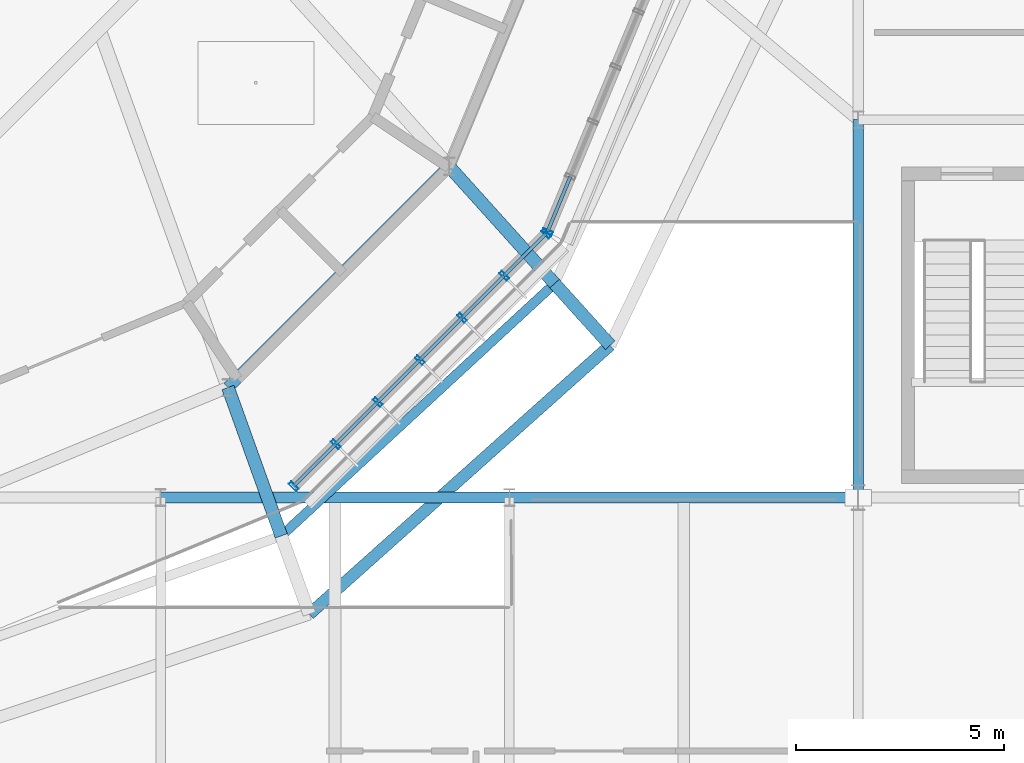
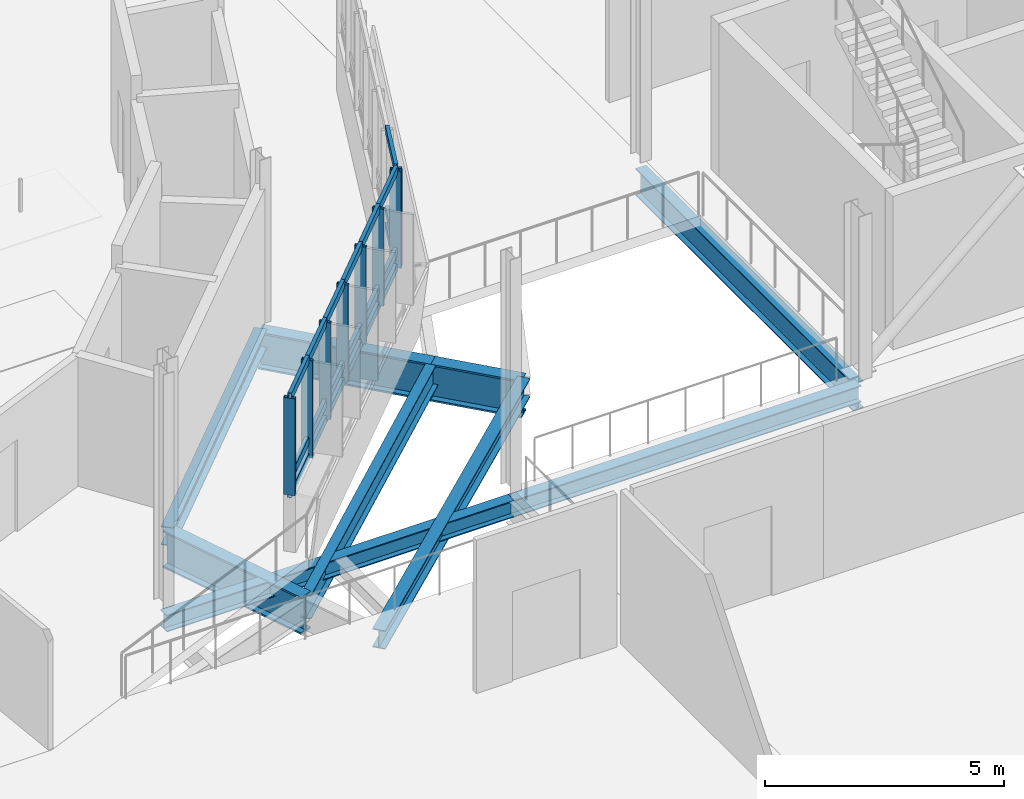
# One storey, part 24 of 107: 29 members, 9 beams, 2 elements without a shape of their own.
"""IFC4 building model written with IfcOpenShell, lengths in metres."""

from ifc_helpers import new_model, si_unit, derived_unit, direction, frame, origin, origin_2d, place, context, subcontext, project, spatial, hollow_rectangle, i_section, extrude, material, layer, layer_set, material_profile, profile_set, type_object, element, aggregate, save


model = new_model("IFC4")

# Units and contexts
model_context = context("Model", 3, precision=1e-05, world=origin(), true_north=direction((0.0, 1.0)))
body_context = subcontext(model_context, "Body", "Model", "MODEL_VIEW")
ifc_project = project(units=[si_unit("LENGTHUNIT", "METRE"), si_unit("AREAUNIT", "SQUARE_METRE"), si_unit("VOLUMEUNIT", "CUBIC_METRE"), si_unit("PLANEANGLEUNIT", "RADIAN"), si_unit("MASSUNIT", "GRAM", prefix="KILO"), derived_unit("THERMALTRANSMITTANCEUNIT", [(si_unit("MASSUNIT", "GRAM", prefix="KILO"), 1), (si_unit("TIMEUNIT", "SECOND"), -3), (si_unit("THERMODYNAMICTEMPERATUREUNIT", "KELVIN"), -1)])], contexts=[model_context])

# Site, building, storey
site_placement = place(None, origin())
site = spatial("IfcSite", under=ifc_project, at=site_placement, CompositionType="ELEMENT")
building_placement = place(site_placement, origin())
building = spatial("IfcBuilding", under=site, at=building_placement, Name="Makaiwela Harbour Ferry Terminal", CompositionType="ELEMENT")
storey_placement = place(building_placement, frame((0.0, 0.0, 9.60009765625)))
storey = spatial("IfcBuildingStorey", under=building, at=storey_placement, Name="L02", CompositionType="ELEMENT", Elevation=9.60009765625)

# Curtain wall, members
ifc_material_1 = material(Name="Marine anodised aluminium 6063-T6", Category="aluminium")
ifc_layer = layer(ifc_material_1, 0.199951171875)
ifc_layer_set = layer_set([ifc_layer], Name="Marine anodised aluminium 6063-T6")
curtain_wall_type = type_object("IfcCurtainWallType", Name="ENV-CW-04", PredefinedType="USERDEFINED", material=ifc_layer_set)
curtain_wall_1_placement = place(storey_placement, origin())
curtain_wall_1 = element("IfcCurtainWall", 1, at=curtain_wall_1_placement, inside=storey, type_object=curtain_wall_type, Name="Unitised Curtain Wall CWA-027", ObjectType="UNITIZED CURTAIN WALL", PredefinedType="USERDEFINED")
ifc_material_profile_1 = material_profile(ifc_material_1, hollow_rectangle(XDim=0.0849609375, YDim=0.25, WallThickness=0.0048828125, at=origin_2d()), Name="CWM-250X85")
ifc_profile_set_1 = profile_set([ifc_material_profile_1], Name="Marine anodised aluminium 6063-T6")
member_type_1 = type_object("IfcMemberType", Name="CW-MUL-250", PredefinedType="MULLION", material=ifc_profile_set_1)
member_1_placement = place(storey_placement, frame((49.40478515625, 49.672607421875, 1.47998046875), z_axis=(0.0, 0.0, 1.0), x_axis=(0.707106781187, 0.707106781187, 0.0)))
member_1 = element("IfcMember", 2, at=member_1_placement, type_object=member_type_1, Name="Curtain Wall Mullion CWA-027-1", PredefinedType="MULLION", context=body_context, shape_type="SweptSolid", body=[
    extrude(hollow_rectangle(XDim=0.0849609375, YDim=0.25, WallThickness=0.0048828125, at=origin_2d()), origin(), (0.0, 0.0, 1.0), 2.47998046875),
])
member_2_placement = place(storey_placement, frame((50.418701171875, 50.686279296875, 1.47998046875), z_axis=(0.0, 0.0, 1.0), x_axis=(0.707106781187, 0.707106781187, 0.0)))
member_2 = element("IfcMember", 3, at=member_2_placement, type_object=member_type_1, Name="Curtain Wall Mullion CWA-027-2", PredefinedType="MULLION", context=body_context, shape_type="SweptSolid", body=[
    extrude(hollow_rectangle(XDim=0.0849609375, YDim=0.25, WallThickness=0.0048828125, at=origin_2d()), origin(), (0.0, 0.0, 1.0), 2.47998046875),
])
member_3_placement = place(storey_placement, frame((51.432373046875, 51.7001953125, 1.47998046875), z_axis=(0.0, 0.0, 1.0), x_axis=(0.707106781187, 0.707106781187, 0.0)))
member_3 = element("IfcMember", 4, at=member_3_placement, type_object=member_type_1, Name="Curtain Wall Mullion CWA-027-3", PredefinedType="MULLION", context=body_context, shape_type="SweptSolid", body=[
    extrude(hollow_rectangle(XDim=0.0849609375, YDim=0.25, WallThickness=0.0048828125, at=origin_2d()), origin(), (0.0, 0.0, 1.0), 2.47998046875),
])
member_4_placement = place(storey_placement, frame((52.4462890625, 52.7138671875, 1.47998046875), z_axis=(0.0, 0.0, 1.0), x_axis=(0.707106781187, 0.707106781187, 0.0)))
member_4 = element("IfcMember", 5, at=member_4_placement, type_object=member_type_1, Name="Curtain Wall Mullion CWA-027-4", PredefinedType="MULLION", context=body_context, shape_type="SweptSolid", body=[
    extrude(hollow_rectangle(XDim=0.0849609375, YDim=0.25, WallThickness=0.0048828125, at=origin_2d()), origin(), (0.0, 0.0, 1.0), 2.47998046875),
])
member_5_placement = place(storey_placement, frame((53.4599609375, 53.7275390625, 1.47998046875), z_axis=(0.0, 0.0, 1.0), x_axis=(0.707106781187, 0.707106781187, 0.0)))
member_5 = element("IfcMember", 6, at=member_5_placement, type_object=member_type_1, Name="Curtain Wall Mullion CWA-027-5", PredefinedType="MULLION", context=body_context, shape_type="SweptSolid", body=[
    extrude(hollow_rectangle(XDim=0.0849609375, YDim=0.25, WallThickness=0.0048828125, at=origin_2d()), origin(), (0.0, 0.0, 1.0), 2.47998046875),
])
member_6_placement = place(storey_placement, frame((54.4736328125, 54.7412109375, 1.47998046875), z_axis=(0.0, 0.0, 1.0), x_axis=(0.707106781187, 0.707106781187, 0.0)))
member_6 = element("IfcMember", 7, at=member_6_placement, type_object=member_type_1, Name="Curtain Wall Mullion CWA-027-6", PredefinedType="MULLION", context=body_context, shape_type="SweptSolid", body=[
    extrude(hollow_rectangle(XDim=0.0849609375, YDim=0.25, WallThickness=0.0048828125, at=origin_2d()), origin(), (0.0, 0.0, 1.0), 2.47998046875),
])
member_7_placement = place(storey_placement, frame((55.4873046875, 55.755126953125, 1.47998046875), z_axis=(0.0, 0.0, 1.0), x_axis=(0.707106781187, 0.707106781187, 0.0)))
member_7 = element("IfcMember", 8, at=member_7_placement, type_object=member_type_1, Name="Curtain Wall Mullion CWA-027-7", PredefinedType="MULLION", context=body_context, shape_type="SweptSolid", body=[
    extrude(hollow_rectangle(XDim=0.0849609375, YDim=0.25, WallThickness=0.0048828125, at=origin_2d()), origin(), (0.0, 0.0, 1.0), 2.47998046875),
])

# Curtain wall, member
curtain_wall_2_placement = place(storey_placement, origin())
curtain_wall_2 = element("IfcCurtainWall", 9, at=curtain_wall_2_placement, inside=storey, type_object=curtain_wall_type, Name="Unitised Curtain Wall CWA-028", ObjectType="UNITIZED CURTAIN WALL", PredefinedType="USERDEFINED")
member_8_placement = place(storey_placement, frame((55.52001953125, 55.803955078125, 1.47998046875), z_axis=(0.0, 0.0, 1.0), x_axis=(0.382683432365, 0.923879532511, 0.0)))
member_8 = element("IfcMember", 10, at=member_8_placement, type_object=member_type_1, Name="Curtain Wall Mullion CWA-028-1", PredefinedType="MULLION", context=body_context, shape_type="SweptSolid", body=[
    extrude(hollow_rectangle(XDim=0.0849609375, YDim=0.25, WallThickness=0.0048828125, at=origin_2d()), origin(), (0.0, 0.0, 1.0), 2.47998046875),
])

# Member
ifc_material_profile_2 = material_profile(ifc_material_1, hollow_rectangle(XDim=0.0849609375, YDim=0.199951171875, WallThickness=0.0048828125, at=origin_2d()), Name="CWT-200X85")
ifc_profile_set_2 = profile_set([ifc_material_profile_2], Name="Marine anodised aluminium 6063-T6")
member_type_2 = type_object("IfcMemberType", Name="CW-TRN-200", PredefinedType="USERDEFINED", material=ifc_profile_set_2)
member_9_placement = place(storey_placement, frame((49.40478515625, 49.672607421875, 1.47998046875), z_axis=(0.707191918358, 0.707021633764, 0.0), x_axis=(-0.707021633764, 0.707191918358, 0.0)))
member_9 = element("IfcMember", 11, at=member_9_placement, type_object=member_type_2, Name="Curtain Wall Transom CWA-027-1-1", ObjectType="TRANSOM", PredefinedType="USERDEFINED", context=body_context, shape_type="SweptSolid", body=[
    extrude(hollow_rectangle(XDim=0.0849609375, YDim=0.199951171875, WallThickness=0.0048828125, at=origin_2d()), origin(), (0.0, 0.0, 1.0), 1.433837890625),
])

member_10_placement = place(storey_placement, frame((49.40478515625, 49.672607421875, 1.89990234375), z_axis=(0.707191918358, 0.707021633764, 0.0), x_axis=(-0.707021633764, 0.707191918358, 0.0)))
member_10 = element("IfcMember", 12, at=member_10_placement, type_object=member_type_2, Name="Curtain Wall Transom CWA-027-1-2", ObjectType="TRANSOM", PredefinedType="USERDEFINED", context=body_context, shape_type="SweptSolid", body=[
    extrude(hollow_rectangle(XDim=0.0849609375, YDim=0.199951171875, WallThickness=0.0048828125, at=origin_2d()), origin(), (0.0, 0.0, 1.0), 1.433837890625),
])

member_11_placement = place(storey_placement, frame((49.40478515625, 49.672607421875, 3.9599609375), z_axis=(0.707191918358, 0.707021633764, 0.0), x_axis=(-0.707021633764, 0.707191918358, 0.0)))
member_11 = element("IfcMember", 13, at=member_11_placement, type_object=member_type_2, Name="Curtain Wall Transom CWA-027-1-3", ObjectType="TRANSOM", PredefinedType="USERDEFINED", context=body_context, shape_type="SweptSolid", body=[
    extrude(hollow_rectangle(XDim=0.0849609375, YDim=0.199951171875, WallThickness=0.0048828125, at=origin_2d()), origin(), (0.0, 0.0, 1.0), 1.433837890625),
])

member_12_placement = place(storey_placement, frame((50.418701171875, 50.686279296875, 1.47998046875), z_axis=(0.707021633764, 0.707191918358, 0.0), x_axis=(-0.707191918358, 0.707021633764, 0.0)))
member_12 = element("IfcMember", 14, at=member_12_placement, type_object=member_type_2, Name="Curtain Wall Transom CWA-027-2-1", ObjectType="TRANSOM", PredefinedType="USERDEFINED", context=body_context, shape_type="SweptSolid", body=[
    extrude(hollow_rectangle(XDim=0.0849609375, YDim=0.199951171875, WallThickness=0.0048828125, at=origin_2d()), origin(), (0.0, 0.0, 1.0), 1.433837890625),
])

member_13_placement = place(storey_placement, frame((50.418701171875, 50.686279296875, 1.89990234375), z_axis=(0.707021633764, 0.707191918358, 0.0), x_axis=(-0.707191918358, 0.707021633764, 0.0)))
member_13 = element("IfcMember", 15, at=member_13_placement, type_object=member_type_2, Name="Curtain Wall Transom CWA-027-2-2", ObjectType="TRANSOM", PredefinedType="USERDEFINED", context=body_context, shape_type="SweptSolid", body=[
    extrude(hollow_rectangle(XDim=0.0849609375, YDim=0.199951171875, WallThickness=0.0048828125, at=origin_2d()), origin(), (0.0, 0.0, 1.0), 1.433837890625),
])

member_14_placement = place(storey_placement, frame((50.418701171875, 50.686279296875, 3.9599609375), z_axis=(0.707021633764, 0.707191918358, 0.0), x_axis=(-0.707191918358, 0.707021633764, 0.0)))
member_14 = element("IfcMember", 16, at=member_14_placement, type_object=member_type_2, Name="Curtain Wall Transom CWA-027-2-3", ObjectType="TRANSOM", PredefinedType="USERDEFINED", context=body_context, shape_type="SweptSolid", body=[
    extrude(hollow_rectangle(XDim=0.0849609375, YDim=0.199951171875, WallThickness=0.0048828125, at=origin_2d()), origin(), (0.0, 0.0, 1.0), 1.433837890625),
])

member_15_placement = place(storey_placement, frame((51.432373046875, 51.7001953125, 1.47998046875), z_axis=(0.707191918358, 0.707021633764, 0.0), x_axis=(-0.707021633764, 0.707191918358, 0.0)))
member_15 = element("IfcMember", 17, at=member_15_placement, type_object=member_type_2, Name="Curtain Wall Transom CWA-027-3-1", ObjectType="TRANSOM", PredefinedType="USERDEFINED", context=body_context, shape_type="SweptSolid", body=[
    extrude(hollow_rectangle(XDim=0.0849609375, YDim=0.199951171875, WallThickness=0.0048828125, at=origin_2d()), origin(), (0.0, 0.0, 1.0), 1.433837890625),
])

member_16_placement = place(storey_placement, frame((51.432373046875, 51.7001953125, 1.89990234375), z_axis=(0.707191918358, 0.707021633764, 0.0), x_axis=(-0.707021633764, 0.707191918358, 0.0)))
member_16 = element("IfcMember", 18, at=member_16_placement, type_object=member_type_2, Name="Curtain Wall Transom CWA-027-3-2", ObjectType="TRANSOM", PredefinedType="USERDEFINED", context=body_context, shape_type="SweptSolid", body=[
    extrude(hollow_rectangle(XDim=0.0849609375, YDim=0.199951171875, WallThickness=0.0048828125, at=origin_2d()), origin(), (0.0, 0.0, 1.0), 1.433837890625),
])

member_17_placement = place(storey_placement, frame((51.432373046875, 51.7001953125, 3.9599609375), z_axis=(0.707191918358, 0.707021633764, 0.0), x_axis=(-0.707021633764, 0.707191918358, 0.0)))
member_17 = element("IfcMember", 19, at=member_17_placement, type_object=member_type_2, Name="Curtain Wall Transom CWA-027-3-3", ObjectType="TRANSOM", PredefinedType="USERDEFINED", context=body_context, shape_type="SweptSolid", body=[
    extrude(hollow_rectangle(XDim=0.0849609375, YDim=0.199951171875, WallThickness=0.0048828125, at=origin_2d()), origin(), (0.0, 0.0, 1.0), 1.433837890625),
])

member_18_placement = place(storey_placement, frame((52.4462890625, 52.7138671875, 1.47998046875), z_axis=(0.707106781187, 0.707106781187, 0.0), x_axis=(-0.707106781187, 0.707106781187, 0.0)))
member_18 = element("IfcMember", 20, at=member_18_placement, type_object=member_type_2, Name="Curtain Wall Transom CWA-027-4-1", ObjectType="TRANSOM", PredefinedType="USERDEFINED", context=body_context, shape_type="SweptSolid", body=[
    extrude(hollow_rectangle(XDim=0.0849609375, YDim=0.199951171875, WallThickness=0.0048828125, at=origin_2d()), origin(), (0.0, 0.0, 1.0), 1.43359375),
])

member_19_placement = place(storey_placement, frame((52.4462890625, 52.7138671875, 1.89990234375), z_axis=(0.707106781187, 0.707106781187, 0.0), x_axis=(-0.707106781187, 0.707106781187, 0.0)))
member_19 = element("IfcMember", 21, at=member_19_placement, type_object=member_type_2, Name="Curtain Wall Transom CWA-027-4-2", ObjectType="TRANSOM", PredefinedType="USERDEFINED", context=body_context, shape_type="SweptSolid", body=[
    extrude(hollow_rectangle(XDim=0.0849609375, YDim=0.199951171875, WallThickness=0.0048828125, at=origin_2d()), origin(), (0.0, 0.0, 1.0), 1.43359375),
])

member_20_placement = place(storey_placement, frame((52.4462890625, 52.7138671875, 3.9599609375), z_axis=(0.707106781187, 0.707106781187, 0.0), x_axis=(-0.707106781187, 0.707106781187, 0.0)))
member_20 = element("IfcMember", 22, at=member_20_placement, type_object=member_type_2, Name="Curtain Wall Transom CWA-027-4-3", ObjectType="TRANSOM", PredefinedType="USERDEFINED", context=body_context, shape_type="SweptSolid", body=[
    extrude(hollow_rectangle(XDim=0.0849609375, YDim=0.199951171875, WallThickness=0.0048828125, at=origin_2d()), origin(), (0.0, 0.0, 1.0), 1.43359375),
])

member_21_placement = place(storey_placement, frame((53.4599609375, 53.7275390625, 1.47998046875), z_axis=(0.707106781187, 0.707106781187, 0.0), x_axis=(-0.707106781187, 0.707106781187, 0.0)))
member_21 = element("IfcMember", 23, at=member_21_placement, type_object=member_type_2, Name="Curtain Wall Transom CWA-027-5-1", ObjectType="TRANSOM", PredefinedType="USERDEFINED", context=body_context, shape_type="SweptSolid", body=[
    extrude(hollow_rectangle(XDim=0.0849609375, YDim=0.199951171875, WallThickness=0.0048828125, at=origin_2d()), origin(), (0.0, 0.0, 1.0), 1.43359375),
])

member_22_placement = place(storey_placement, frame((53.4599609375, 53.7275390625, 1.89990234375), z_axis=(0.707106781187, 0.707106781187, 0.0), x_axis=(-0.707106781187, 0.707106781187, 0.0)))
member_22 = element("IfcMember", 24, at=member_22_placement, type_object=member_type_2, Name="Curtain Wall Transom CWA-027-5-2", ObjectType="TRANSOM", PredefinedType="USERDEFINED", context=body_context, shape_type="SweptSolid", body=[
    extrude(hollow_rectangle(XDim=0.0849609375, YDim=0.199951171875, WallThickness=0.0048828125, at=origin_2d()), origin(), (0.0, 0.0, 1.0), 1.43359375),
])

member_23_placement = place(storey_placement, frame((53.4599609375, 53.7275390625, 3.9599609375), z_axis=(0.707106781187, 0.707106781187, 0.0), x_axis=(-0.707106781187, 0.707106781187, 0.0)))
member_23 = element("IfcMember", 25, at=member_23_placement, type_object=member_type_2, Name="Curtain Wall Transom CWA-027-5-3", ObjectType="TRANSOM", PredefinedType="USERDEFINED", context=body_context, shape_type="SweptSolid", body=[
    extrude(hollow_rectangle(XDim=0.0849609375, YDim=0.199951171875, WallThickness=0.0048828125, at=origin_2d()), origin(), (0.0, 0.0, 1.0), 1.43359375),
])

member_24_placement = place(storey_placement, frame((54.4736328125, 54.7412109375, 1.47998046875), z_axis=(0.707021633764, 0.707191918358, 0.0), x_axis=(-0.707191918358, 0.707021633764, 0.0)))
member_24 = element("IfcMember", 26, at=member_24_placement, type_object=member_type_2, Name="Curtain Wall Transom CWA-027-6-1", ObjectType="TRANSOM", PredefinedType="USERDEFINED", context=body_context, shape_type="SweptSolid", body=[
    extrude(hollow_rectangle(XDim=0.0849609375, YDim=0.199951171875, WallThickness=0.0048828125, at=origin_2d()), origin(), (0.0, 0.0, 1.0), 1.433837890625),
])

member_25_placement = place(storey_placement, frame((54.4736328125, 54.7412109375, 1.89990234375), z_axis=(0.707021633764, 0.707191918358, 0.0), x_axis=(-0.707191918358, 0.707021633764, 0.0)))
member_25 = element("IfcMember", 27, at=member_25_placement, type_object=member_type_2, Name="Curtain Wall Transom CWA-027-6-2", ObjectType="TRANSOM", PredefinedType="USERDEFINED", context=body_context, shape_type="SweptSolid", body=[
    extrude(hollow_rectangle(XDim=0.0849609375, YDim=0.199951171875, WallThickness=0.0048828125, at=origin_2d()), origin(), (0.0, 0.0, 1.0), 1.433837890625),
])

member_26_placement = place(storey_placement, frame((54.4736328125, 54.7412109375, 3.9599609375), z_axis=(0.707021633764, 0.707191918358, 0.0), x_axis=(-0.707191918358, 0.707021633764, 0.0)))
member_26 = element("IfcMember", 28, at=member_26_placement, type_object=member_type_2, Name="Curtain Wall Transom CWA-027-6-3", ObjectType="TRANSOM", PredefinedType="USERDEFINED", context=body_context, shape_type="SweptSolid", body=[
    extrude(hollow_rectangle(XDim=0.0849609375, YDim=0.199951171875, WallThickness=0.0048828125, at=origin_2d()), origin(), (0.0, 0.0, 1.0), 1.433837890625),
])

aggregate(curtain_wall_1, [member_1, member_2, member_3, member_4, member_5, member_6, member_7, member_9, member_10, member_11, member_12, member_13, member_14, member_15, member_16, member_17, member_18, member_19, member_20, member_21, member_22, member_23, member_24, member_25, member_26])

member_27_placement = place(storey_placement, frame((55.52001953125, 55.803955078125, 1.47998046875), z_axis=(0.382607449574, 0.923911001953, 0.0), x_axis=(-0.923911001953, 0.382607449574, 0.0)))
member_27 = element("IfcMember", 29, at=member_27_placement, type_object=member_type_2, Name="Curtain Wall Transom CWA-028-1-1", ObjectType="TRANSOM", PredefinedType="USERDEFINED", context=body_context, shape_type="SweptSolid", body=[
    extrude(hollow_rectangle(XDim=0.0849609375, YDim=0.199951171875, WallThickness=0.0048828125, at=origin_2d()), origin(), (0.0, 0.0, 1.0), 1.433837890625),
])

member_28_placement = place(storey_placement, frame((55.52001953125, 55.803955078125, 1.89990234375), z_axis=(0.382607449574, 0.923911001953, 0.0), x_axis=(-0.923911001953, 0.382607449574, 0.0)))
member_28 = element("IfcMember", 30, at=member_28_placement, type_object=member_type_2, Name="Curtain Wall Transom CWA-028-1-2", ObjectType="TRANSOM", PredefinedType="USERDEFINED", context=body_context, shape_type="SweptSolid", body=[
    extrude(hollow_rectangle(XDim=0.0849609375, YDim=0.199951171875, WallThickness=0.0048828125, at=origin_2d()), origin(), (0.0, 0.0, 1.0), 1.433837890625),
])

member_29_placement = place(storey_placement, frame((55.52001953125, 55.803955078125, 3.9599609375), z_axis=(0.382607449574, 0.923911001953, 0.0), x_axis=(-0.923911001953, 0.382607449574, 0.0)))
member_29 = element("IfcMember", 31, at=member_29_placement, type_object=member_type_2, Name="Curtain Wall Transom CWA-028-1-3", ObjectType="TRANSOM", PredefinedType="USERDEFINED", context=body_context, shape_type="SweptSolid", body=[
    extrude(hollow_rectangle(XDim=0.0849609375, YDim=0.199951171875, WallThickness=0.0048828125, at=origin_2d()), origin(), (0.0, 0.0, 1.0), 1.433837890625),
])

aggregate(curtain_wall_2, [member_8, member_27, member_28, member_29])

# Beams
ifc_material_2 = material(Name="Steel ASTM A992 Grade 50", Category="steel")
ifc_material_profile_3 = material_profile(ifc_material_2, i_section(OverallWidth=0.22900390625, OverallDepth=0.612060546875, WebThickness=0.011962890625, FlangeThickness=0.01953125, at=origin_2d()), Name="W24X84")
ifc_profile_set_3 = profile_set([ifc_material_profile_3], Name="Steel ASTM A992 Grade 50")
beam_type_1 = type_object("IfcBeamType", Name="STR-GRD-W24X84", PredefinedType="USERDEFINED", material=ifc_profile_set_3)
beam_1_placement = place(storey_placement, frame((49.107421875, 48.476318359375, -0.566162109375), z_axis=(0.734745985858, 0.678342344444, 0.0), x_axis=(-0.678342344444, 0.734745985858, 0.0)))
element("IfcBeam", 32, at=beam_1_placement, inside=storey, type_object=beam_type_1, Name="Drum overhang tie girder 220", ObjectType="GIRDER", PredefinedType="USERDEFINED", context=body_context, shape_type="SweptSolid", body=[
    extrude(i_section(OverallWidth=0.22900390625, OverallDepth=0.612060546875, WebThickness=0.011962890625, FlangeThickness=0.01953125, at=origin_2d()), origin(), (0.0, 0.0, 1.0), 8.9599609375),
])
ifc_material_profile_4 = material_profile(ifc_material_2, i_section(OverallWidth=0.256103515625, OverallDepth=0.693115234375, WebThickness=0.014404296875, FlangeThickness=0.023681640625, at=origin_2d()), Name="W27X114")
ifc_profile_set_4 = profile_set([ifc_material_profile_4], Name="Steel ASTM A992 Grade 50")
beam_type_2 = type_object("IfcBeamType", Name="STR-GRD-W27X114", PredefinedType="USERDEFINED", material=ifc_profile_set_4)
beam_2_placement = place(storey_placement, frame((63.0, 49.39990234375, -0.606689453125), z_axis=(0.0, 1.0, 0.0), x_axis=(-1.0, 0.0, 0.0)))
element("IfcBeam", 33, at=beam_2_placement, inside=storey, type_object=beam_type_2, Name="Primary Y girder 1361", ObjectType="GIRDER", PredefinedType="USERDEFINED", context=body_context, shape_type="SweptSolid", body=[
    extrude(i_section(OverallWidth=0.256103515625, OverallDepth=0.693115234375, WebThickness=0.014404296875, FlangeThickness=0.023681640625, at=origin_2d()), origin(), (0.0, 0.0, 1.0), 9.10009765625),
])
ifc_material_profile_5 = material_profile(ifc_material_2, i_section(OverallWidth=0.31005859375, OverallDepth=0.949951171875, WebThickness=0.0244140625, FlangeThickness=0.0439453125, at=origin_2d()), Name="W36X256")
ifc_profile_set_5 = profile_set([ifc_material_profile_5], Name="Steel ASTM A992 Grade 50")
beam_type_3 = type_object("IfcBeamType", Name="STR-GRD-W36X256", PredefinedType="USERDEFINED", material=ifc_profile_set_5)
beam_3_placement = place(storey_placement, frame((47.822509765625, 52.052490234375, -0.735107421875), z_axis=(0.338134714011, -0.941097718189, 0.0), x_axis=(0.941097718189, 0.338134714011, 0.0)))
element("IfcBeam", 34, at=beam_3_placement, inside=storey, type_object=beam_type_3, Name="Drum radial overhang 190", ObjectType="GIRDER", PredefinedType="USERDEFINED", context=body_context, shape_type="SweptSolid", body=[
    extrude(i_section(OverallWidth=0.31005859375, OverallDepth=0.949951171875, WebThickness=0.0244140625, FlangeThickness=0.0439453125, at=origin_2d()), origin(), (0.0, 0.0, 1.0), 3.800048828125),
])
beam_4_placement = place(storey_placement, frame((53.1474609375, 57.37744140625, -0.735107421875), z_axis=(0.669298341285, -0.742993761988, 0.0), x_axis=(0.742993761988, 0.669298341285, 0.0)))
element("IfcBeam", 35, at=beam_4_placement, inside=storey, type_object=beam_type_3, Name="Drum radial overhang 193", ObjectType="GIRDER", PredefinedType="USERDEFINED", context=body_context, shape_type="SweptSolid", body=[
    extrude(i_section(OverallWidth=0.31005859375, OverallDepth=0.949951171875, WebThickness=0.0244140625, FlangeThickness=0.0439453125, at=origin_2d()), origin(), (0.0, 0.0, 1.0), 3.7998046875),
])
beam_5_placement = place(storey_placement, frame((55.690673828125, 54.55419921875, -0.735107421875), z_axis=(0.669281634804, -0.743008811061, 0.0), x_axis=(0.743008811061, 0.669281634804, 0.0)))
element("IfcBeam", 36, at=beam_5_placement, inside=storey, type_object=beam_type_3, Name="Drum overhang radial girder 194", ObjectType="GIRDER", PredefinedType="USERDEFINED", context=body_context, shape_type="SweptSolid", body=[
    extrude(i_section(OverallWidth=0.31005859375, OverallDepth=0.949951171875, WebThickness=0.0244140625, FlangeThickness=0.0439453125, at=origin_2d()), origin(), (0.0, 0.0, 1.0), 2.0),
])
ifc_material_profile_6 = material_profile(ifc_material_2, i_section(OverallWidth=0.264892578125, OverallDepth=0.430908203125, WebThickness=0.014892578125, FlangeThickness=0.02490234375, at=origin_2d()), Name="W16X100")
ifc_profile_set_6 = profile_set([ifc_material_profile_6], Name="Steel ASTM A992 Grade 50")
beam_type_4 = type_object("IfcBeamType", Name="STR-SPN-W16X100", PredefinedType="SPANDREL", material=ifc_profile_set_6)
beam_6_placement = place(storey_placement, frame((46.199951171875, 49.39990234375, -0.4755859375), z_axis=(1.0, 0.0, 0.0), x_axis=(0.0, 1.0, 0.0)))
element("IfcBeam", 37, at=beam_6_placement, inside=storey, type_object=beam_type_4, Name="Primary X girder 1271", PredefinedType="SPANDREL", context=body_context, shape_type="SweptSolid", body=[
    extrude(i_section(OverallWidth=0.264892578125, OverallDepth=0.430908203125, WebThickness=0.014892578125, FlangeThickness=0.02490234375, at=origin_2d()), origin(), (0.0, 0.0, 1.0), 8.400146484375),
])
beam_7_placement = place(storey_placement, frame((54.60009765625, 49.39990234375, -0.4755859375), z_axis=(1.0, 0.0, 0.0), x_axis=(0.0, 1.0, 0.0)))
element("IfcBeam", 38, at=beam_7_placement, inside=storey, type_object=beam_type_4, Name="Primary X girder 1272", PredefinedType="SPANDREL", context=body_context, shape_type="SweptSolid", body=[
    extrude(i_section(OverallWidth=0.264892578125, OverallDepth=0.430908203125, WebThickness=0.014892578125, FlangeThickness=0.02490234375, at=origin_2d()), origin(), (0.0, 0.0, 1.0), 8.39990234375),
])
ifc_material_profile_7 = material_profile(ifc_material_2, i_section(OverallWidth=0.283935546875, OverallDepth=0.47607421875, WebThickness=0.014892578125, FlangeThickness=0.02392578125, at=origin_2d()), Name="W18X106")
ifc_profile_set_7 = profile_set([ifc_material_profile_7], Name="Steel ASTM A992 Grade 50")
beam_type_5 = type_object("IfcBeamType", Name="STR-SPN-W18X106", PredefinedType="SPANDREL", material=ifc_profile_set_7)
beam_8_placement = place(storey_placement, frame((47.822509765625, 52.052490234375, -0.498046875), z_axis=(0.707106781187, 0.707106781187, 0.0), x_axis=(-0.707106781187, 0.707106781187, 0.0)))
element("IfcBeam", 39, at=beam_8_placement, inside=storey, type_object=beam_type_5, Name="Drum column ring girder 145", PredefinedType="SPANDREL", context=body_context, shape_type="SweptSolid", body=[
    extrude(i_section(OverallWidth=0.283935546875, OverallDepth=0.47607421875, WebThickness=0.014892578125, FlangeThickness=0.02392578125, at=origin_2d()), origin(), (0.0, 0.0, 1.0), 7.530517578125),
])
beam_9_placement = place(storey_placement, frame((49.783447265625, 46.59423828125, -0.498046875), z_axis=(0.745714267637, 0.666265886146, 0.0), x_axis=(-0.666265886146, 0.745714267637, 0.0)))
element("IfcBeam", 40, at=beam_9_placement, inside=storey, type_object=beam_type_5, Name="Drum perimeter spandrel 233", PredefinedType="SPANDREL", context=body_context, shape_type="SweptSolid", body=[
    extrude(i_section(OverallWidth=0.283935546875, OverallDepth=0.47607421875, WebThickness=0.014892578125, FlangeThickness=0.02392578125, at=origin_2d()), origin(), (0.0, 0.0, 1.0), 9.716552734375),
])

save(model, "model.ifc")
